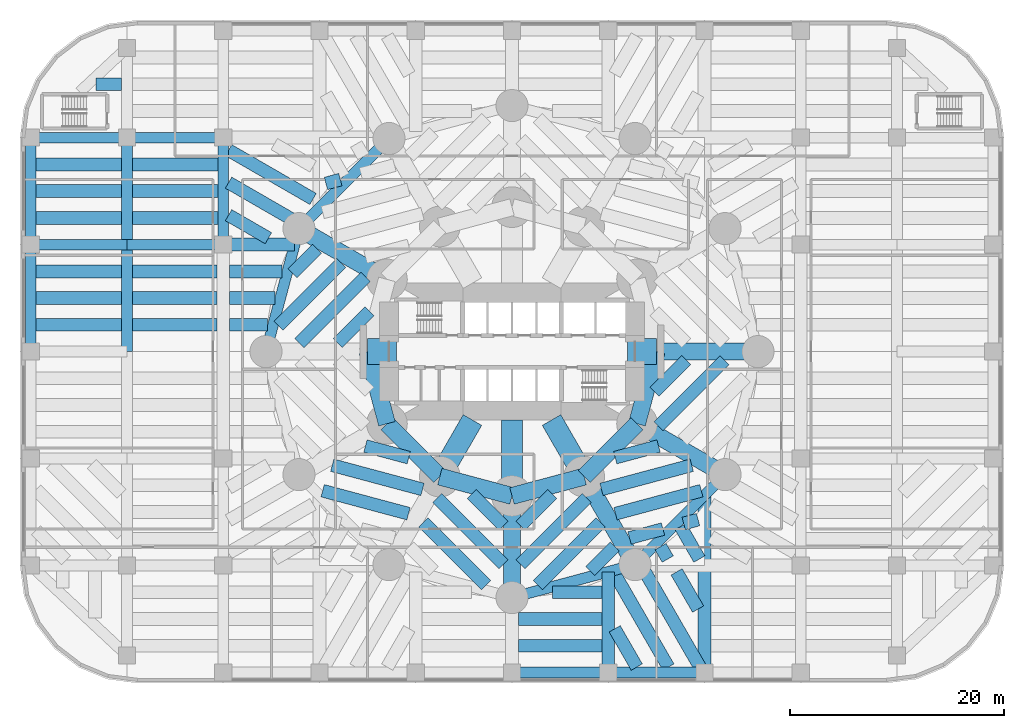
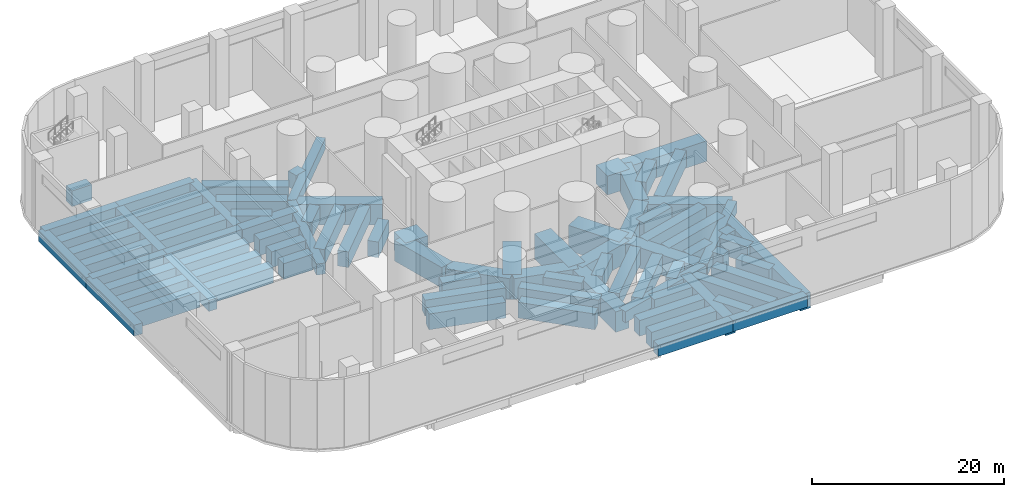
# One storey, part 2 of 13: 84 beams.
"""IFC4 building model written with IfcOpenShell, lengths in metres."""

from ifc_helpers import new_model, si_unit, direction, frame, origin, origin_2d, place, context, subcontext, project, spatial, rectangle, extrude, material, material_profile, profile_set, type_object, element, save


model = new_model("IFC4")

# Units and contexts
model_context = context("Model", 3, precision=1e-05, world=origin(), true_north=direction((0.0, 1.0)))
body_context = subcontext(model_context, "Body", "Model", "MODEL_VIEW")
ifc_project = project(units=[si_unit("LENGTHUNIT", "METRE"), si_unit("AREAUNIT", "SQUARE_METRE"), si_unit("VOLUMEUNIT", "CUBIC_METRE"), si_unit("PLANEANGLEUNIT", "RADIAN"), si_unit("MASSUNIT", "GRAM", prefix="KILO")], contexts=[model_context])

# Site, building, storey
site_placement = place(None, origin())
site = spatial("IfcSite", under=ifc_project, at=site_placement, CompositionType="ELEMENT")
building_placement = place(site_placement, origin())
building = spatial("IfcBuilding", under=site, at=building_placement, Name="Qaws Media Tower", CompositionType="ELEMENT")
storey_placement = place(building_placement, frame((0.0, 0.0, 6.0)))
storey = spatial("IfcBuildingStorey", under=building, at=storey_placement, Name="L01", CompositionType="ELEMENT", Elevation=6.0)

# Beams
ifc_material_1 = material(Name="Concrete C60/75", Category="concrete")
ifc_material_profile_1 = material_profile(ifc_material_1, rectangle(XDim=2.0, YDim=3.199951171875, at=origin_2d()), Name="RC 2000x3200")
ifc_profile_set_1 = profile_set([ifc_material_profile_1], Name="Concrete C60/75")
beam_type_1 = type_object("IfcBeamType", Name="Podium core beam RC 2000x3200", PredefinedType="BEAM", material=ifc_profile_set_1)
beam_1_placement = place(storey_placement, frame((56.304931640625, 43.60009765625, -1.89990234375), z_axis=(-0.49998532359, -0.866033877048, 0.0), x_axis=(0.866033877048, -0.49998532359, 0.0)))
element("IfcBeam", 1, at=beam_1_placement, inside=storey, type_object=beam_type_1, Name="PB14 beam CORE-I09", PredefinedType="BEAM", context=body_context, shape_type="SweptSolid", body=[
    extrude(rectangle(XDim=2.0, YDim=3.199951171875, at=origin_2d()), origin(), (0.0, 0.0, 1.0), 6.110107421875),
])
beam_2_placement = place(storey_placement, frame((60.0, 43.60009765625, -1.89990234375), z_axis=(0.0, -1.0, 0.0), x_axis=(1.0, 0.0, 0.0)))
element("IfcBeam", 2, at=beam_2_placement, inside=storey, type_object=beam_type_1, Name="PB14 beam CORE-I10", PredefinedType="BEAM", context=body_context, shape_type="SweptSolid", body=[
    extrude(rectangle(XDim=2.0, YDim=3.199951171875, at=origin_2d()), origin(), (0.0, 0.0, 1.0), 7.10009765625),
])
beam_3_placement = place(storey_placement, frame((63.695068359375, 43.60009765625, -1.89990234375), z_axis=(0.49998532359, -0.866033877048, 0.0), x_axis=(0.866033877048, 0.49998532359, 0.0)))
element("IfcBeam", 3, at=beam_3_placement, inside=storey, type_object=beam_type_1, Name="PB14 beam CORE-I11", PredefinedType="BEAM", context=body_context, shape_type="SweptSolid", body=[
    extrude(rectangle(XDim=2.0, YDim=3.199951171875, at=origin_2d()), origin(), (0.0, 0.0, 1.0), 6.110107421875),
])
ifc_material_2 = material(Name="Concrete C60/75", Category="concrete")
ifc_material_profile_2 = material_profile(ifc_material_2, rectangle(XDim=2.39990234375, YDim=2.39990234375, at=origin_2d()), Name="RC 2400x2400")
ifc_profile_set_2 = profile_set([ifc_material_profile_2], Name="Concrete C60/75")
beam_type_2 = type_object("IfcBeamType", Name="Podium core stub beam RC 2400x2400", PredefinedType="BEAM", material=ifc_profile_set_2)
for number, where, z_axis, x_axis, name in (
    (4, (70.800048828125, 50.0, -1.5), (1.0, 0.0, 0.0), (0.0, 1.0, 0.0), "PB15 beam CORE-I01"),
    (5, (49.199951171875, 50.0, -1.5), (-1.0, 0.0, 0.0), (0.0, -1.0, 0.0), "PB15 beam CORE-I07"),
):
    element("IfcBeam", number, at=place(storey_placement, frame(where, z_axis=z_axis, x_axis=x_axis)), inside=storey, type_object=beam_type_2, Name=name, PredefinedType="BEAM", context=body_context, shape_type="SweptSolid", body=[
        extrude(rectangle(XDim=2.39990234375, YDim=2.39990234375, at=origin_2d()), origin(), (0.0, 0.0, 1.0), 2.699951171875),
    ])
ifc_material_3 = material(Name="Concrete C60/75", Category="concrete")
ifc_material_profile_3 = material_profile(ifc_material_3, rectangle(XDim=1.0, YDim=1.39990234375, at=origin_2d()), Name="RC 1000x1400")
ifc_profile_set_3 = profile_set([ifc_material_profile_3], Name="Concrete C60/75")
beam_type_3 = type_object("IfcBeamType", Name="Podium edge beam RC 1000x1400", PredefinedType="BEAM", material=ifc_profile_set_3)
for number, where, z_axis, x_axis, name in (
    (6, (48.5, 69.918701171875, -1.0), (-0.707106781187, -0.707106781187, 0.0), (0.707106781187, -0.707106781187, 0.0), "PB3 beam M05-M06"),
    (7, (40.081298828125, 61.5, -1.0), (-0.258809885148, -0.965928280645, 0.0), (0.965928280645, -0.258809885148, 0.0), "PB3 beam M06-M07"),
    (8, (60.0, 27.0, -1.0), (0.965928280645, 0.258809885148, 0.0), (-0.258809885148, 0.965928280645, 0.0), "PB3 beam M10-M11"),
    (9, (71.5, 30.081298828125, -1.0), (0.707106781187, 0.707106781187, 0.0), (-0.707106781187, 0.707106781187, 0.0), "PB3 beam M11-M12"),
):
    element("IfcBeam", number, at=place(storey_placement, frame(where, z_axis=z_axis, x_axis=x_axis)), inside=storey, type_object=beam_type_3, Name=name, PredefinedType="BEAM", context=body_context, shape_type="SweptSolid", body=[
        extrude(rectangle(XDim=1.0, YDim=1.39990234375, at=origin_2d()), origin(), (0.0, 0.0, 1.0), 11.90576171875),
    ])
ifc_material_4 = material(Name="Concrete C60/75", Category="concrete")
ifc_material_profile_4 = material_profile(ifc_material_4, rectangle(XDim=1.0, YDim=1.39990234375, at=origin_2d()), Name="RC 1000x1400")
ifc_profile_set_4 = profile_set([ifc_material_profile_4], Name="Concrete C60/75")
beam_type_4 = type_object("IfcBeamType", Name="Podium girder RC 1000x1400", PredefinedType="BEAM", material=ifc_profile_set_4)
for number, where, z_axis, x_axis, name in (
    (10, (60.0, 20.0, -1.0), (1.0, 0.0, 0.0), (0.0, 1.0, 0.0), "PB5 beam 6-7/A"),
    (11, (69.0, 20.0, -1.0), (1.0, 0.0, 0.0), (0.0, 1.0, 0.0), "PB5 beam 7-8/A"),
    (12, (15.0, 60.0, -1.0), (1.0, 0.0, 0.0), (0.0, 1.0, 0.0), "PB5 beam 1-2/E"),
    (13, (24.0, 60.0, -1.0), (1.0, 0.0, 0.0), (0.0, 1.0, 0.0), "PB5 beam 2-3/E"),
    (14, (15.0, 70.0, -1.0), (1.0, 0.0, 0.0), (0.0, 1.0, 0.0), "PB5 beam 1-2/F"),
    (15, (24.0, 70.0, -1.0), (1.0, 0.0, 0.0), (0.0, 1.0, 0.0), "PB5 beam 2-3/F"),
):
    element("IfcBeam", number, at=place(storey_placement, frame(where, z_axis=z_axis, x_axis=x_axis)), inside=storey, type_object=beam_type_4, Name=name, PredefinedType="BEAM", context=body_context, shape_type="SweptSolid", body=[
        extrude(rectangle(XDim=1.0, YDim=1.39990234375, at=origin_2d()), origin(), (0.0, 0.0, 1.0), 9.0),
    ])
for number, where, z_axis, x_axis, name in (
    (16, (15.0, 50.0, -1.0), (0.0, 1.0, 0.0), (-1.0, 0.0, 0.0), "PB5 beam 1/D-E"),
    (17, (15.0, 60.0, -1.0), (0.0, 1.0, 0.0), (-1.0, 0.0, 0.0), "PB5 beam 1/E-F"),
    (18, (24.0, 50.0, -1.0), (0.0, 1.0, 0.0), (-1.0, 0.0, 0.0), "PB5 beam 2/D-E"),
    (19, (24.0, 60.0, -1.0), (0.0, 1.0, 0.0), (-1.0, 0.0, 0.0), "PB5 beam 2/E-F"),
    (20, (33.0, 60.0, -1.0), (0.0, 1.0, 0.0), (-1.0, 0.0, 0.0), "PB5 beam 3/E-F"),
):
    element("IfcBeam", number, at=place(storey_placement, frame(where, z_axis=z_axis, x_axis=x_axis)), inside=storey, type_object=beam_type_4, Name=name, PredefinedType="BEAM", context=body_context, shape_type="SweptSolid", body=[
        extrude(rectangle(XDim=1.0, YDim=1.39990234375, at=origin_2d()), origin(), (0.0, 0.0, 1.0), 10.0),
    ])
ifc_material_5 = material(Name="Concrete C60/75", Category="concrete")
ifc_material_profile_5 = material_profile(ifc_material_5, rectangle(XDim=1.199951171875, YDim=2.0, at=origin_2d()), Name="RC 1200x2000")
ifc_profile_set_5 = profile_set([ifc_material_profile_5], Name="Concrete C60/75")
beam_type_5 = type_object("IfcBeamType", Name="Podium long trimmer beam RC 1200x2000", PredefinedType="BEAM", material=ifc_profile_set_5)
beam_4_placement = place(storey_placement, frame((78.0, 20.0, -1.300048828125), z_axis=(0.0, 1.0, 0.0), x_axis=(-1.0, 0.0, 0.0)))
element("IfcBeam", 21, at=beam_4_placement, inside=storey, type_object=beam_type_5, Name="PB11 beam 8/A to the tower ring", PredefinedType="BEAM", context=body_context, shape_type="SweptSolid", body=[
    extrude(rectangle(XDim=1.199951171875, YDim=2.0, at=origin_2d()), origin(), (0.0, 0.0, 1.0), 16.581298828125),
])
ifc_material_6 = material(Name="Concrete C60/75", Category="concrete")
ifc_material_profile_6 = material_profile(ifc_material_6, rectangle(XDim=1.199951171875, YDim=2.0, at=origin_2d()), Name="RC 1200x2000")
ifc_profile_set_6 = profile_set([ifc_material_profile_6], Name="Concrete C60/75")
beam_type_6 = type_object("IfcBeamType", Name="Podium secondary beam RC 1200x2000", PredefinedType="BEAM", material=ifc_profile_set_6)
for number, where, z_axis, x_axis, name in (
    (22, (15.5, 52.5, -1.300048828125), (1.0, 0.0, 0.0), (0.0, 1.0, 0.0), "PB7 beam bay 1D line 1"),
    (23, (15.5, 55.0, -1.300048828125), (1.0, 0.0, 0.0), (0.0, 1.0, 0.0), "PB7 beam bay 1D line 2"),
    (24, (15.5, 57.5, -1.300048828125), (1.0, 0.0, 0.0), (0.0, 1.0, 0.0), "PB7 beam bay 1D line 3"),
    (25, (15.5, 62.5, -1.300048828125), (1.0, 0.0, 0.0), (0.0, 1.0, 0.0), "PB7 beam bay 1E line 1"),
    (26, (15.5, 65.0, -1.300048828125), (1.0, 0.0, 0.0), (0.0, 1.0, 0.0), "PB7 beam bay 1E line 2"),
    (27, (15.5, 67.5, -1.300048828125), (1.0, 0.0, 0.0), (0.0, 1.0, 0.0), "PB7 beam bay 1E line 3"),
):
    element("IfcBeam", number, at=place(storey_placement, frame(where, z_axis=z_axis, x_axis=x_axis)), inside=storey, type_object=beam_type_6, Name=name, PredefinedType="BEAM", context=body_context, shape_type="SweptSolid", body=[
        extrude(rectangle(XDim=1.199951171875, YDim=2.0, at=origin_2d()), origin(), (0.0, 0.0, 1.0), 8.0),
    ])
beam_5_placement = place(storey_placement, frame((21.08984375, 75.0, -1.300048828125), z_axis=(1.0, 0.0, 0.0), x_axis=(0.0, 1.0, 0.0)))
element("IfcBeam", 28, at=beam_5_placement, inside=storey, type_object=beam_type_6, Name="PB7 beam bay 1F line 1", PredefinedType="BEAM", context=body_context, shape_type="SweptSolid", body=[
    extrude(rectangle(XDim=1.199951171875, YDim=2.0, at=origin_2d()), origin(), (0.0, 0.0, 1.0), 2.41015625),
])
for number, where, z_axis, x_axis, name in (
    (29, (24.5, 52.5, -1.300048828125), (1.0, 0.0, 0.0), (0.0, 1.0, 0.0), "PB7 beam bay 2D line 1"),
    (30, (24.5, 55.0, -1.300048828125), (1.0, 0.0, 0.0), (0.0, 1.0, 0.0), "PB7 beam bay 2D line 2"),
    (31, (24.5, 57.5, -1.300048828125), (1.0, 0.0, 0.0), (0.0, 1.0, 0.0), "PB7 beam bay 2D line 3"),
):
    element("IfcBeam", number, at=place(storey_placement, frame(where, z_axis=z_axis, x_axis=x_axis)), inside=storey, type_object=beam_type_6, Name=name, PredefinedType="BEAM", context=body_context, shape_type="SweptSolid", body=[
        extrude(rectangle(XDim=1.199951171875, YDim=2.0, at=origin_2d()), origin(), (0.0, 0.0, 1.0), 7.89990234375),
    ])
for number, where, z_axis, x_axis, name in (
    (32, (24.5, 62.5, -1.300048828125), (1.0, 0.0, 0.0), (0.0, 1.0, 0.0), "PB7 beam bay 2E line 1"),
    (33, (24.5, 65.0, -1.300048828125), (1.0, 0.0, 0.0), (0.0, 1.0, 0.0), "PB7 beam bay 2E line 2"),
    (34, (24.5, 67.5, -1.300048828125), (1.0, 0.0, 0.0), (0.0, 1.0, 0.0), "PB7 beam bay 2E line 3"),
):
    element("IfcBeam", number, at=place(storey_placement, frame(where, z_axis=z_axis, x_axis=x_axis)), inside=storey, type_object=beam_type_6, Name=name, PredefinedType="BEAM", context=body_context, shape_type="SweptSolid", body=[
        extrude(rectangle(XDim=1.199951171875, YDim=2.0, at=origin_2d()), origin(), (0.0, 0.0, 1.0), 8.0),
    ])
beam_6_placement = place(storey_placement, frame((33.60009765625, 52.5, -1.300048828125), z_axis=(1.0, 0.0, 0.0), x_axis=(0.0, 1.0, 0.0)))
element("IfcBeam", 35, at=beam_6_placement, inside=storey, type_object=beam_type_6, Name="PB7 beam bay 3D line 1", PredefinedType="BEAM", context=body_context, shape_type="SweptSolid", body=[
    extrude(rectangle(XDim=1.199951171875, YDim=2.0, at=origin_2d()), origin(), (0.0, 0.0, 1.0), 3.55224609375),
])
beam_7_placement = place(storey_placement, frame((33.60009765625, 55.0, -1.300048828125), z_axis=(1.0, 0.0, 0.0), x_axis=(0.0, 1.0, 0.0)))
element("IfcBeam", 36, at=beam_7_placement, inside=storey, type_object=beam_type_6, Name="PB7 beam bay 3D line 2", PredefinedType="BEAM", context=body_context, shape_type="SweptSolid", body=[
    extrude(rectangle(XDim=1.199951171875, YDim=2.0, at=origin_2d()), origin(), (0.0, 0.0, 1.0), 4.221923828125),
])
beam_8_placement = place(storey_placement, frame((33.60009765625, 57.5, -1.300048828125), z_axis=(1.0, 0.0, 0.0), x_axis=(0.0, 1.0, 0.0)))
element("IfcBeam", 37, at=beam_8_placement, inside=storey, type_object=beam_type_6, Name="PB7 beam bay 3D line 3", PredefinedType="BEAM", context=body_context, shape_type="SweptSolid", body=[
    extrude(rectangle(XDim=1.199951171875, YDim=2.0, at=origin_2d()), origin(), (0.0, 0.0, 1.0), 4.891845703125),
])
beam_9_placement = place(storey_placement, frame((41.39990234375, 64.26806640625, -1.300048828125), z_axis=(-0.866024244995, 0.500002007077, 0.0), x_axis=(-0.500002007077, -0.866024244995, 0.0)))
element("IfcBeam", 38, at=beam_9_placement, inside=storey, type_object=beam_type_6, Name="PB7 beam bay 3E line 2", PredefinedType="BEAM", context=body_context, shape_type="SweptSolid", body=[
    extrude(rectangle(XDim=1.199951171875, YDim=2.0, at=origin_2d()), origin(), (0.0, 0.0, 1.0), 9.1220703125),
])
beam_10_placement = place(storey_placement, frame((39.94384765625, 62.069580078125, -1.300048828125), z_axis=(-0.866033686948, 0.499985652865, 0.0), x_axis=(-0.499985652865, -0.866033686948, 0.0)))
element("IfcBeam", 39, at=beam_10_placement, inside=storey, type_object=beam_type_6, Name="PB7 beam bay 3E line 3", PredefinedType="BEAM", context=body_context, shape_type="SweptSolid", body=[
    extrude(rectangle(XDim=1.199951171875, YDim=2.0, at=origin_2d()), origin(), (0.0, 0.0, 1.0), 7.440673828125),
])
beam_11_placement = place(storey_placement, frame((37.224853515625, 60.60009765625, -1.300048828125), z_axis=(-0.866040963478, 0.499973048851, 0.0), x_axis=(-0.499973048851, -0.866040963478, 0.0)))
element("IfcBeam", 40, at=beam_11_placement, inside=storey, type_object=beam_type_6, Name="PB7 beam bay 3E line 4", PredefinedType="BEAM", context=body_context, shape_type="SweptSolid", body=[
    extrude(rectangle(XDim=1.199951171875, YDim=2.0, at=origin_2d()), origin(), (0.0, 0.0, 1.0), 4.301025390625),
])
for number, where, z_axis, x_axis, name in (
    (41, (60.60009765625, 22.5, -1.300048828125), (1.0, 0.0, 0.0), (0.0, 1.0, 0.0), "PB7 beam bay 6A line 1"),
    (42, (60.60009765625, 25.0, -1.300048828125), (1.0, 0.0, 0.0), (0.0, 1.0, 0.0), "PB7 beam bay 6A line 2"),
):
    element("IfcBeam", number, at=place(storey_placement, frame(where, z_axis=z_axis, x_axis=x_axis)), inside=storey, type_object=beam_type_6, Name=name, PredefinedType="BEAM", context=body_context, shape_type="SweptSolid", body=[
        extrude(rectangle(XDim=1.199951171875, YDim=2.0, at=origin_2d()), origin(), (0.0, 0.0, 1.0), 7.7998046875),
    ])
beam_12_placement = place(storey_placement, frame((63.7978515625, 27.5, -1.300048828125), z_axis=(1.0, 0.0, 0.0), x_axis=(0.0, 1.0, 0.0)))
element("IfcBeam", 43, at=beam_12_placement, inside=storey, type_object=beam_type_6, Name="PB7 beam bay 6A line 3", PredefinedType="BEAM", context=body_context, shape_type="SweptSolid", body=[
    extrude(rectangle(XDim=1.199951171875, YDim=2.0, at=origin_2d()), origin(), (0.0, 0.0, 1.0), 4.60205078125),
])
beam_13_placement = place(storey_placement, frame((77.39990234375, 25.921630859375, -1.300048828125), z_axis=(-0.500022371132, 0.86601248742, 0.0), x_axis=(-0.86601248742, -0.500022371132, 0.0)))
element("IfcBeam", 44, at=beam_13_placement, inside=storey, type_object=beam_type_6, Name="PB7 beam bay 7A line 1", PredefinedType="BEAM", context=body_context, shape_type="SweptSolid", body=[
    extrude(rectangle(XDim=1.199951171875, YDim=2.0, at=origin_2d()), origin(), (0.0, 0.0, 1.0), 4.016357421875),
])
beam_14_placement = place(storey_placement, frame((77.575439453125, 20.5, -1.300048828125), z_axis=(-0.500004869266, 0.866022592494, 0.0), x_axis=(-0.866022592494, -0.500004869266, 0.0)))
element("IfcBeam", 45, at=beam_14_placement, inside=storey, type_object=beam_type_6, Name="PB7 beam bay 7A line 2", PredefinedType="BEAM", context=body_context, shape_type="SweptSolid", body=[
    extrude(rectangle(XDim=1.199951171875, YDim=2.0, at=origin_2d()), origin(), (0.0, 0.0, 1.0), 10.27685546875),
])
beam_15_placement = place(storey_placement, frame((74.62060546875, 20.5, -1.300048828125), z_axis=(-0.499992846816, 0.866029533637, 0.0), x_axis=(-0.866029533637, -0.499992846816, 0.0)))
element("IfcBeam", 46, at=beam_15_placement, inside=storey, type_object=beam_type_6, Name="PB7 beam bay 7A line 3", PredefinedType="BEAM", context=body_context, shape_type="SweptSolid", body=[
    extrude(rectangle(XDim=1.199951171875, YDim=2.0, at=origin_2d()), origin(), (0.0, 0.0, 1.0), 9.900146484375),
])
beam_16_placement = place(storey_placement, frame((71.666015625, 20.5, -1.300048828125), z_axis=(-0.499990122378, 0.866031106557, 0.0), x_axis=(-0.866031106557, -0.499990122378, 0.0)))
element("IfcBeam", 47, at=beam_16_placement, inside=storey, type_object=beam_type_6, Name="PB7 beam bay 7A line 4", PredefinedType="BEAM", context=body_context, shape_type="SweptSolid", body=[
    extrude(rectangle(XDim=1.199951171875, YDim=2.0, at=origin_2d()), origin(), (0.0, 0.0, 1.0), 4.1318359375),
])
beam_17_placement = place(storey_placement, frame((77.517578125, 30.60009765625, -1.300048828125), z_axis=(-0.500001597329, 0.866024481564, 0.0), x_axis=(-0.866024481564, -0.500001597329, 0.0)))
element("IfcBeam", 48, at=beam_17_placement, inside=storey, type_object=beam_type_6, Name="PB7 beam bay 7B line 1", PredefinedType="BEAM", context=body_context, shape_type="SweptSolid", body=[
    extrude(rectangle(XDim=1.199951171875, YDim=2.0, at=origin_2d()), origin(), (0.0, 0.0, 1.0), 3.5078125),
])
beam_18_placement = place(storey_placement, frame((74.56298828125, 30.60009765625, -1.300048828125), z_axis=(-0.500062873969, 0.865989100438, 0.0), x_axis=(-0.865989100438, -0.500062873969, 0.0)))
element("IfcBeam", 49, at=beam_18_placement, inside=storey, type_object=beam_type_6, Name="PB7 beam bay 7B line 2", PredefinedType="BEAM", context=body_context, shape_type="SweptSolid", body=[
    extrude(rectangle(XDim=1.199951171875, YDim=2.0, at=origin_2d()), origin(), (0.0, 0.0, 1.0), 1.344970703125),
])
beam_19_placement = place(storey_placement, frame((42.60009765625, 65.714111328125, -1.300048828125), z_axis=(0.965927004363, 0.25881464843, 0.0), x_axis=(-0.25881464843, 0.965927004363, 0.0)))
element("IfcBeam", 50, at=beam_19_placement, inside=storey, type_object=beam_type_6, Name="PB7 beam bay T05 line 4", PredefinedType="BEAM", context=body_context, shape_type="SweptSolid", body=[
    extrude(rectangle(XDim=1.199951171875, YDim=2.0, at=origin_2d()), origin(), (0.0, 0.0, 1.0), 1.39794921875),
])
beam_20_placement = place(storey_placement, frame((43.71630859375, 50.800048828125, -1.300048828125), z_axis=(0.707106781187, 0.707106781187, 0.0), x_axis=(-0.707106781187, 0.707106781187, 0.0)))
element("IfcBeam", 51, at=beam_20_placement, inside=storey, type_object=beam_type_6, Name="PB7 beam bay T06 line 1", PredefinedType="BEAM", context=body_context, shape_type="SweptSolid", body=[
    extrude(rectangle(XDim=1.199951171875, YDim=2.0, at=origin_2d()), origin(), (0.0, 0.0, 1.0), 4.19189453125),
])
beam_21_placement = place(storey_placement, frame((40.132568359375, 50.800048828125, -1.300048828125), z_axis=(0.707106781187, 0.707106781187, 0.0), x_axis=(-0.707106781187, 0.707106781187, 0.0)))
element("IfcBeam", 52, at=beam_21_placement, inside=storey, type_object=beam_type_6, Name="PB7 beam bay T06 line 2", PredefinedType="BEAM", context=body_context, shape_type="SweptSolid", body=[
    extrude(rectangle(XDim=1.199951171875, YDim=2.0, at=origin_2d()), origin(), (0.0, 0.0, 1.0), 8.73876953125),
])
beam_22_placement = place(storey_placement, frame((38.1650390625, 52.416259765625, -1.300048828125), z_axis=(0.707106781187, 0.707106781187, 0.0), x_axis=(-0.707106781187, 0.707106781187, 0.0)))
element("IfcBeam", 53, at=beam_22_placement, inside=storey, type_object=beam_type_6, Name="PB7 beam bay T06 line 3", PredefinedType="BEAM", context=body_context, shape_type="SweptSolid", body=[
    extrude(rectangle(XDim=1.199951171875, YDim=2.0, at=origin_2d()), origin(), (0.0, 0.0, 1.0), 8.30810546875),
])
beam_23_placement = place(storey_placement, frame((39.476806640625, 57.311767578125, -1.300048828125), z_axis=(0.707144458383, 0.707069101983, 0.0), x_axis=(-0.707069101983, 0.707144458383, 0.0)))
element("IfcBeam", 54, at=beam_23_placement, inside=storey, type_object=beam_type_6, Name="PB7 beam bay T06 line 4", PredefinedType="BEAM", context=body_context, shape_type="SweptSolid", body=[
    extrude(rectangle(XDim=1.199951171875, YDim=2.0, at=origin_2d()), origin(), (0.0, 0.0, 1.0), 3.23974609375),
])
beam_24_placement = place(storey_placement, frame((50.346923828125, 40.080322265625, -1.300048828125), z_axis=(-0.96592491418, 0.258822449118, 0.0), x_axis=(-0.258822449118, -0.96592491418, 0.0)))
element("IfcBeam", 55, at=beam_24_placement, inside=storey, type_object=beam_type_6, Name="PB7 beam bay T08 line 1", PredefinedType="BEAM", context=body_context, shape_type="SweptSolid", body=[
    extrude(rectangle(XDim=1.199951171875, YDim=2.0, at=origin_2d()), origin(), (0.0, 0.0, 1.0), 4.19189453125),
])
beam_25_placement = place(storey_placement, frame((51.63525390625, 37.11181640625, -1.300048828125), z_axis=(-0.965926352771, 0.258817080236, 0.0), x_axis=(-0.258817080236, -0.965926352771, 0.0)))
element("IfcBeam", 56, at=beam_25_placement, inside=storey, type_object=beam_type_6, Name="PB7 beam bay T08 line 2", PredefinedType="BEAM", context=body_context, shape_type="SweptSolid", body=[
    extrude(rectangle(XDim=1.199951171875, YDim=2.0, at=origin_2d()), origin(), (0.0, 0.0, 1.0), 8.73876953125),
])
beam_26_placement = place(storey_placement, frame((50.323486328125, 34.83984375, -1.300048828125), z_axis=(-0.965929425695, 0.258805611564, 0.0), x_axis=(-0.258805611564, -0.965929425695, 0.0)))
element("IfcBeam", 57, at=beam_26_placement, inside=storey, type_object=beam_type_6, Name="PB7 beam bay T08 line 3", PredefinedType="BEAM", context=body_context, shape_type="SweptSolid", body=[
    extrude(rectangle(XDim=1.199951171875, YDim=2.0, at=origin_2d()), origin(), (0.0, 0.0, 1.0), 8.307861328125),
])
beam_27_placement = place(storey_placement, frame((59.199951171875, 33.71630859375, -1.300048828125), z_axis=(-0.707106781187, 0.707106781187, 0.0), x_axis=(-0.707106781187, -0.707106781187, 0.0)))
element("IfcBeam", 58, at=beam_27_placement, inside=storey, type_object=beam_type_6, Name="PB7 beam bay T09 line 1", PredefinedType="BEAM", context=body_context, shape_type="SweptSolid", body=[
    extrude(rectangle(XDim=1.199951171875, YDim=2.0, at=origin_2d()), origin(), (0.0, 0.0, 1.0), 4.19189453125),
])
beam_28_placement = place(storey_placement, frame((59.199951171875, 30.132568359375, -1.300048828125), z_axis=(-0.707106781187, 0.707106781187, 0.0), x_axis=(-0.707106781187, -0.707106781187, 0.0)))
element("IfcBeam", 59, at=beam_28_placement, inside=storey, type_object=beam_type_6, Name="PB7 beam bay T09 line 2", PredefinedType="BEAM", context=body_context, shape_type="SweptSolid", body=[
    extrude(rectangle(XDim=1.199951171875, YDim=2.0, at=origin_2d()), origin(), (0.0, 0.0, 1.0), 8.73876953125),
])
beam_29_placement = place(storey_placement, frame((57.583740234375, 28.1650390625, -1.300048828125), z_axis=(-0.707106781187, 0.707106781187, 0.0), x_axis=(-0.707106781187, -0.707106781187, 0.0)))
element("IfcBeam", 60, at=beam_29_placement, inside=storey, type_object=beam_type_6, Name="PB7 beam bay T09 line 3", PredefinedType="BEAM", context=body_context, shape_type="SweptSolid", body=[
    extrude(rectangle(XDim=1.199951171875, YDim=2.0, at=origin_2d()), origin(), (0.0, 0.0, 1.0), 8.30810546875),
])
beam_30_placement = place(storey_placement, frame((67.311767578125, 29.476806640625, -1.300048828125), z_axis=(0.707069101983, 0.707144458383, 0.0), x_axis=(-0.707144458383, 0.707069101983, 0.0)))
element("IfcBeam", 61, at=beam_30_placement, inside=storey, type_object=beam_type_6, Name="PB7 beam bay T10 line 1", PredefinedType="BEAM", context=body_context, shape_type="SweptSolid", body=[
    extrude(rectangle(XDim=1.199951171875, YDim=2.0, at=origin_2d()), origin(), (0.0, 0.0, 1.0), 3.23974609375),
])
beam_31_placement = place(storey_placement, frame((62.416259765625, 28.1650390625, -1.300048828125), z_axis=(0.707106781187, 0.707106781187, 0.0), x_axis=(-0.707106781187, 0.707106781187, 0.0)))
element("IfcBeam", 62, at=beam_31_placement, inside=storey, type_object=beam_type_6, Name="PB7 beam bay T10 line 2", PredefinedType="BEAM", context=body_context, shape_type="SweptSolid", body=[
    extrude(rectangle(XDim=1.199951171875, YDim=2.0, at=origin_2d()), origin(), (0.0, 0.0, 1.0), 8.30810546875),
])
beam_32_placement = place(storey_placement, frame((60.800048828125, 30.132568359375, -1.300048828125), z_axis=(0.707106781187, 0.707106781187, 0.0), x_axis=(-0.707106781187, 0.707106781187, 0.0)))
element("IfcBeam", 63, at=beam_32_placement, inside=storey, type_object=beam_type_6, Name="PB7 beam bay T10 line 3", PredefinedType="BEAM", context=body_context, shape_type="SweptSolid", body=[
    extrude(rectangle(XDim=1.199951171875, YDim=2.0, at=origin_2d()), origin(), (0.0, 0.0, 1.0), 8.73876953125),
])
beam_33_placement = place(storey_placement, frame((60.800048828125, 33.71630859375, -1.300048828125), z_axis=(0.707106781187, 0.707106781187, 0.0), x_axis=(-0.707106781187, 0.707106781187, 0.0)))
element("IfcBeam", 64, at=beam_33_placement, inside=storey, type_object=beam_type_6, Name="PB7 beam bay T10 line 4", PredefinedType="BEAM", context=body_context, shape_type="SweptSolid", body=[
    extrude(rectangle(XDim=1.199951171875, YDim=2.0, at=origin_2d()), origin(), (0.0, 0.0, 1.0), 4.19189453125),
])
beam_34_placement = place(storey_placement, frame((70.98828125, 32.56787109375, -1.300048828125), z_axis=(0.965936615722, 0.258778775034, 0.0), x_axis=(-0.258778775034, 0.965936615722, 0.0)))
element("IfcBeam", 65, at=beam_34_placement, inside=storey, type_object=beam_type_6, Name="PB7 beam bay T11 line 1", PredefinedType="BEAM", context=body_context, shape_type="SweptSolid", body=[
    extrude(rectangle(XDim=1.199951171875, YDim=2.0, at=origin_2d()), origin(), (0.0, 0.0, 1.0), 3.23974609375),
])
beam_35_placement = place(storey_placement, frame((76.049560546875, 33.924072265625, -1.300048828125), z_axis=(0.965927004363, 0.25881464843, 0.0), x_axis=(-0.25881464843, 0.965927004363, 0.0)))
element("IfcBeam", 66, at=beam_35_placement, inside=storey, type_object=beam_type_6, Name="PB7 beam bay T11 line 2", PredefinedType="BEAM", context=body_context, shape_type="SweptSolid", body=[
    extrude(rectangle(XDim=1.199951171875, YDim=2.0, at=origin_2d()), origin(), (0.0, 0.0, 1.0), 1.39794921875),
])
beam_36_placement = place(storey_placement, frame((69.676513671875, 34.83984375, -1.300048828125), z_axis=(0.965929425695, 0.258805611564, 0.0), x_axis=(-0.258805611564, 0.965929425695, 0.0)))
element("IfcBeam", 67, at=beam_36_placement, inside=storey, type_object=beam_type_6, Name="PB7 beam bay T11 line 3", PredefinedType="BEAM", context=body_context, shape_type="SweptSolid", body=[
    extrude(rectangle(XDim=1.199951171875, YDim=2.0, at=origin_2d()), origin(), (0.0, 0.0, 1.0), 8.307861328125),
])
beam_37_placement = place(storey_placement, frame((68.36474609375, 37.11181640625, -1.300048828125), z_axis=(0.965926352771, 0.258817080236, 0.0), x_axis=(-0.258817080236, 0.965926352771, 0.0)))
element("IfcBeam", 68, at=beam_37_placement, inside=storey, type_object=beam_type_6, Name="PB7 beam bay T11 line 4", PredefinedType="BEAM", context=body_context, shape_type="SweptSolid", body=[
    extrude(rectangle(XDim=1.199951171875, YDim=2.0, at=origin_2d()), origin(), (0.0, 0.0, 1.0), 8.73876953125),
])
beam_38_placement = place(storey_placement, frame((69.653076171875, 40.080322265625, -1.300048828125), z_axis=(0.96592491418, 0.258822449118, 0.0), x_axis=(-0.258822449118, 0.96592491418, 0.0)))
element("IfcBeam", 69, at=beam_38_placement, inside=storey, type_object=beam_type_6, Name="PB7 beam bay T11 line 5", PredefinedType="BEAM", context=body_context, shape_type="SweptSolid", body=[
    extrude(rectangle(XDim=1.199951171875, YDim=2.0, at=origin_2d()), origin(), (0.0, 0.0, 1.0), 4.19189453125),
])
beam_39_placement = place(storey_placement, frame((73.688232421875, 43.020751953125, -1.300048828125), z_axis=(0.707106781187, 0.707106781187, 0.0), x_axis=(-0.707106781187, 0.707106781187, 0.0)))
element("IfcBeam", 70, at=beam_39_placement, inside=storey, type_object=beam_type_6, Name="PB7 beam bay T12 line 3", PredefinedType="BEAM", context=body_context, shape_type="SweptSolid", body=[
    extrude(rectangle(XDim=1.199951171875, YDim=2.0, at=origin_2d()), origin(), (0.0, 0.0, 1.0), 8.73876953125),
])
beam_40_placement = place(storey_placement, frame((73.319580078125, 46.23583984375, -1.300048828125), z_axis=(0.707106781187, 0.707106781187, 0.0), x_axis=(-0.707106781187, 0.707106781187, 0.0)))
element("IfcBeam", 71, at=beam_40_placement, inside=storey, type_object=beam_type_6, Name="PB7 beam bay T12 line 4", PredefinedType="BEAM", context=body_context, shape_type="SweptSolid", body=[
    extrude(rectangle(XDim=1.199951171875, YDim=2.0, at=origin_2d()), origin(), (0.0, 0.0, 1.0), 4.19189453125),
])
ifc_material_7 = material(Name="Concrete C60/75", Category="concrete")
ifc_material_profile_7 = material_profile(ifc_material_7, rectangle(XDim=1.60009765625, YDim=2.60009765625, at=origin_2d()), Name="RC 1600x2600")
ifc_profile_set_7 = profile_set([ifc_material_profile_7], Name="Concrete C60/75")
beam_type_7 = type_object("IfcBeamType", Name="Podium tower beam RC 1600x2600", PredefinedType="BEAM", material=ifc_profile_set_7)
for number, where, z_axis, x_axis, name in (
    (72, (73.5, 50.0, -1.60009765625), (1.0, 0.0, 0.0), (0.0, 1.0, 0.0), "PB9 beam I01-M01"),
    (73, (48.30859375, 56.75, -1.60009765625), (-0.86602681393, 0.499997557548, 0.0), (-0.499997557548, -0.86602681393, 0.0), "PB9 beam I06-M06"),
):
    element("IfcBeam", number, at=place(storey_placement, frame(where, z_axis=z_axis, x_axis=x_axis)), inside=storey, type_object=beam_type_7, Name=name, PredefinedType="BEAM", context=body_context, shape_type="SweptSolid", body=[
        extrude(rectangle(XDim=1.60009765625, YDim=2.60009765625, at=origin_2d()), origin(), (0.0, 0.0, 1.0), 9.5),
    ])
beam_41_placement = place(storey_placement, frame((46.5, 50.0, -1.60009765625), z_axis=(0.258810593767, -0.965928090778, 0.0), x_axis=(0.965928090778, 0.258810593767, 0.0)))
element("IfcBeam", 74, at=beam_41_placement, inside=storey, type_object=beam_type_7, Name="PB9 beam I07-I08", PredefinedType="BEAM", context=body_context, shape_type="SweptSolid", body=[
    extrude(rectangle(XDim=1.60009765625, YDim=2.60009765625, at=origin_2d()), origin(), (0.0, 0.0, 1.0), 6.988037109375),
])
beam_42_placement = place(storey_placement, frame((48.30859375, 43.25, -1.60009765625), z_axis=(0.707106781187, -0.707106781187, 0.0), x_axis=(0.707106781187, 0.707106781187, 0.0)))
element("IfcBeam", 75, at=beam_42_placement, inside=storey, type_object=beam_type_7, Name="PB9 beam I08-I09", PredefinedType="BEAM", context=body_context, shape_type="SweptSolid", body=[
    extrude(rectangle(XDim=1.60009765625, YDim=2.60009765625, at=origin_2d()), origin(), (0.0, 0.0, 1.0), 6.98828125),
])
beam_43_placement = place(storey_placement, frame((53.25, 38.30859375, -1.60009765625), z_axis=(0.965928090778, -0.258810593767, 0.0), x_axis=(0.258810593767, 0.965928090778, 0.0)))
element("IfcBeam", 76, at=beam_43_placement, inside=storey, type_object=beam_type_7, Name="PB9 beam I09-I10", PredefinedType="BEAM", context=body_context, shape_type="SweptSolid", body=[
    extrude(rectangle(XDim=1.60009765625, YDim=2.60009765625, at=origin_2d()), origin(), (0.0, 0.0, 1.0), 6.988037109375),
])
beam_44_placement = place(storey_placement, frame((60.0, 36.5, -1.60009765625), z_axis=(0.0, -1.0, 0.0), x_axis=(1.0, 0.0, 0.0)))
element("IfcBeam", 77, at=beam_44_placement, inside=storey, type_object=beam_type_7, Name="PB9 beam I10-M10", PredefinedType="BEAM", context=body_context, shape_type="SweptSolid", body=[
    extrude(rectangle(XDim=1.60009765625, YDim=2.60009765625, at=origin_2d()), origin(), (0.0, 0.0, 1.0), 9.5),
])
beam_45_placement = place(storey_placement, frame((60.0, 36.5, -1.60009765625), z_axis=(0.965928090778, 0.258810593767, 0.0), x_axis=(-0.258810593767, 0.965928090778, 0.0)))
element("IfcBeam", 78, at=beam_45_placement, inside=storey, type_object=beam_type_7, Name="PB9 beam I10-I11", PredefinedType="BEAM", context=body_context, shape_type="SweptSolid", body=[
    extrude(rectangle(XDim=1.60009765625, YDim=2.60009765625, at=origin_2d()), origin(), (0.0, 0.0, 1.0), 6.988037109375),
])
beam_46_placement = place(storey_placement, frame((66.75, 38.30859375, -1.60009765625), z_axis=(0.499997557548, -0.86602681393, 0.0), x_axis=(0.86602681393, 0.499997557548, 0.0)))
element("IfcBeam", 79, at=beam_46_placement, inside=storey, type_object=beam_type_7, Name="PB9 beam I11-M11", PredefinedType="BEAM", context=body_context, shape_type="SweptSolid", body=[
    extrude(rectangle(XDim=1.60009765625, YDim=2.60009765625, at=origin_2d()), origin(), (0.0, 0.0, 1.0), 9.5),
])
beam_47_placement = place(storey_placement, frame((66.75, 38.30859375, -1.60009765625), z_axis=(0.707106781187, 0.707106781187, 0.0), x_axis=(-0.707106781187, 0.707106781187, 0.0)))
element("IfcBeam", 80, at=beam_47_placement, inside=storey, type_object=beam_type_7, Name="PB9 beam I11-I12", PredefinedType="BEAM", context=body_context, shape_type="SweptSolid", body=[
    extrude(rectangle(XDim=1.60009765625, YDim=2.60009765625, at=origin_2d()), origin(), (0.0, 0.0, 1.0), 6.98828125),
])
beam_48_placement = place(storey_placement, frame((71.69140625, 43.25, -1.60009765625), z_axis=(0.86602681393, -0.499997557548, 0.0), x_axis=(0.499997557548, 0.86602681393, 0.0)))
element("IfcBeam", 81, at=beam_48_placement, inside=storey, type_object=beam_type_7, Name="PB9 beam I12-M12", PredefinedType="BEAM", context=body_context, shape_type="SweptSolid", body=[
    extrude(rectangle(XDim=1.60009765625, YDim=2.60009765625, at=origin_2d()), origin(), (0.0, 0.0, 1.0), 9.5),
])
beam_49_placement = place(storey_placement, frame((71.69140625, 43.25, -1.60009765625), z_axis=(0.258810593767, 0.965928090778, 0.0), x_axis=(-0.965928090778, 0.258810593767, 0.0)))
element("IfcBeam", 82, at=beam_49_placement, inside=storey, type_object=beam_type_7, Name="PB9 beam I12-I01", PredefinedType="BEAM", context=body_context, shape_type="SweptSolid", body=[
    extrude(rectangle(XDim=1.60009765625, YDim=2.60009765625, at=origin_2d()), origin(), (0.0, 0.0, 1.0), 6.988037109375),
])
ifc_material_8 = material(Name="Concrete C60/75", Category="concrete")
ifc_material_profile_8 = material_profile(ifc_material_8, rectangle(XDim=1.199951171875, YDim=2.0, at=origin_2d()), Name="RC 1200x2000")
ifc_profile_set_8 = profile_set([ifc_material_profile_8], Name="Concrete C60/75")
beam_type_8 = type_object("IfcBeamType", Name="Podium trimmer beam RC 1200x2000", PredefinedType="BEAM", material=ifc_profile_set_8)
beam_50_placement = place(storey_placement, frame((33.0, 60.0, -1.300048828125), z_axis=(1.0, 0.0, 0.0), x_axis=(0.0, 1.0, 0.0)))
element("IfcBeam", 83, at=beam_50_placement, inside=storey, type_object=beam_type_8, Name="PB4 beam 3/E to the tower ring", PredefinedType="BEAM", context=body_context, shape_type="SweptSolid", body=[
    extrude(rectangle(XDim=1.199951171875, YDim=2.0, at=origin_2d()), origin(), (0.0, 0.0, 1.0), 6.679443359375),
])
beam_51_placement = place(storey_placement, frame((69.0, 20.0, -1.300048828125), z_axis=(0.0, 1.0, 0.0), x_axis=(-1.0, 0.0, 0.0)))
element("IfcBeam", 84, at=beam_51_placement, inside=storey, type_object=beam_type_8, Name="PB4 beam 7/A to the tower ring", PredefinedType="BEAM", context=body_context, shape_type="SweptSolid", body=[
    extrude(rectangle(XDim=1.199951171875, YDim=2.0, at=origin_2d()), origin(), (0.0, 0.0, 1.0), 9.41162109375),
])

save(model, "model.ifc")
